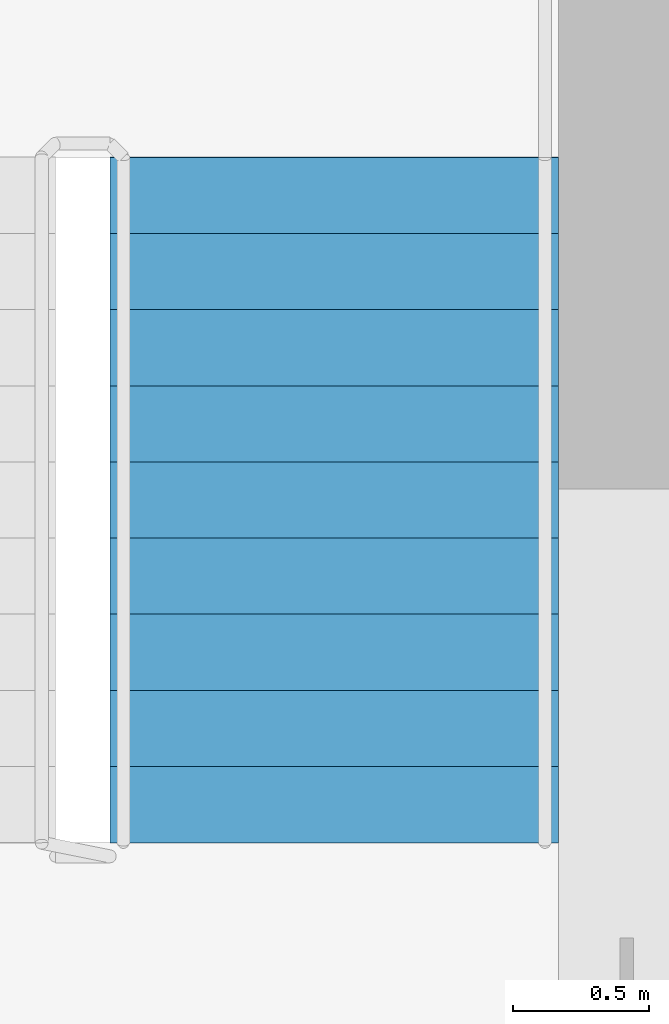
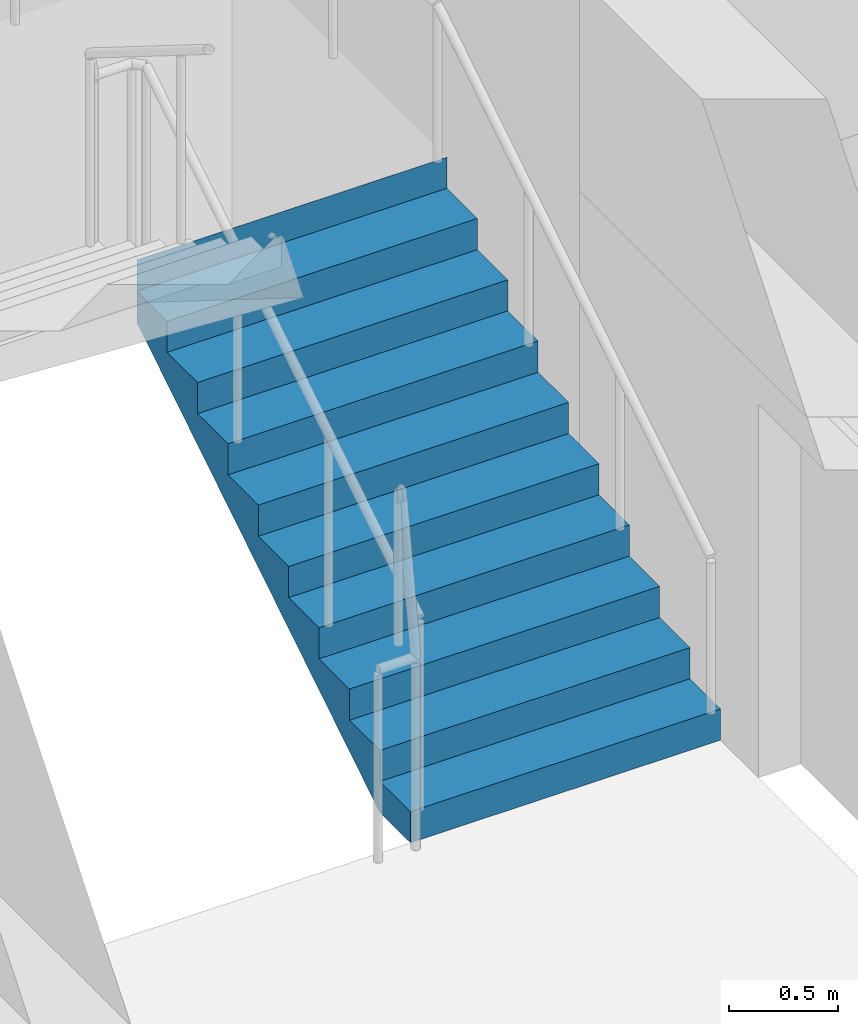
# One storey, part 10 of 11: 1 stair flight, 1 element without a shape of its own.
"""IFC4 building model written with IfcOpenShell, lengths in metres."""

from ifc_helpers import new_model, si_unit, direction, frame, origin, place, context, subcontext, project, spatial, polyline, outline, extrude, material, type_object, element, aggregate, save


model = new_model("IFC4")

# Units and contexts
model_context = context("Model", 3, precision=1e-05, world=origin(), true_north=direction((0.0, 1.0)))
body_context = subcontext(model_context, "Body", "Model", "MODEL_VIEW")
ifc_project = project(units=[si_unit("LENGTHUNIT", "METRE"), si_unit("AREAUNIT", "SQUARE_METRE"), si_unit("VOLUMEUNIT", "CUBIC_METRE"), si_unit("PLANEANGLEUNIT", "RADIAN"), si_unit("MASSUNIT", "GRAM", prefix="KILO")], contexts=[model_context])

# Site, building, storey
site_placement = place(None, origin())
site = spatial("IfcSite", under=ifc_project, at=site_placement, CompositionType="ELEMENT")
building_placement = place(site_placement, origin())
building = spatial("IfcBuilding", under=site, at=building_placement, Name="Tamorin Gate", CompositionType="ELEMENT")
storey_placement = place(building_placement, frame((0.0, 0.0, 230.199951171875)))
storey = spatial("IfcBuildingStorey", under=building, at=storey_placement, Name="L57", CompositionType="ELEMENT", Elevation=230.199951171875)

# Stair, stair flight
ifc_material = material(Name="Concrete C40/50", Category="concrete")
stair_type = type_object("IfcStairType", Name="Exit stair", PredefinedType="HALF_TURN_STAIR", material=ifc_material)
stair_placement = place(storey_placement, origin())
stair = element("IfcStair", 1, at=stair_placement, inside=storey, type_object=stair_type, Name="L57 stair ST2", PredefinedType="HALF_TURN_STAIR")
stair_flight_type = type_object("IfcStairFlightType", Name="Exit stair flight", PredefinedType="STRAIGHT", material=ifc_material)
stair_flight_placement = place(storey_placement, frame((33.675048828125, 77.0, 0.0), z_axis=(0.0, 0.0, 1.0), x_axis=(0.0, 1.0, 0.0)))
stair_flight = element("IfcStairFlight", 2, at=stair_flight_placement, type_object=stair_flight_type, Name="ST2 flight 1", NumberOfRisers=10, NumberOfTreads=9, PredefinedType="STRAIGHT", RiserHeight=0.175, TreadLength=0.28, context=body_context, shape_type="SweptSolid", body=[
    extrude(outline(polyline([(-0.00048828125, 0.0), (-0.00048828125, 0.001708984375), (-0.00048828125, 0.00341796875), (-0.00048828125, 0.005126953125), (-0.00048828125, 0.0068359375), (-0.00048828125, 0.008544921875), (-0.00048828125, 0.010498046875), (-0.00048828125, 0.01220703125), (-0.00048828125, 0.013916015625), (-0.00048828125, 0.015625), (-0.00048828125, 0.017333984375), (-0.00048828125, 0.01904296875), (-0.00048828125, 0.020751953125), (-0.00048828125, 0.0224609375), (-0.00048828125, 0.024169921875), (-0.00048828125, 0.02587890625), (-0.00048828125, 0.02783203125), (-0.00048828125, 0.029541015625), (-0.00048828125, 0.03125), (-0.00048828125, 0.032958984375), (-0.00048828125, 0.03466796875), (-0.00048828125, 0.036376953125), (-0.00048828125, 0.0380859375), (-0.00048828125, 0.039794921875), (-0.00048828125, 0.04150390625), (-0.00048828125, 0.043212890625), (-0.00048828125, 0.045166015625), (-0.00048828125, 0.046875), (-0.00048828125, 0.048583984375), (-0.00048828125, 0.05029296875), (-0.00048828125, 0.052001953125), (-0.00048828125, 0.0537109375), (-0.00048828125, 0.055419921875), (-0.00048828125, 0.05712890625), (-0.00048828125, 0.058837890625), (-0.00048828125, 0.060546875), (-0.00048828125, 0.062255859375), (-0.00048828125, 0.064208984375), (-0.00048828125, 0.06591796875), (-0.00048828125, 0.067626953125), (-0.00048828125, 0.0693359375), (-0.00048828125, 0.071044921875), (-0.00048828125, 0.07275390625), (-0.00048828125, 0.074462890625), (-0.00048828125, 0.076171875), (-0.00048828125, 0.077880859375), (-0.00048828125, 0.07958984375), (-0.00048828125, 0.08154296875), (-0.00048828125, 0.083251953125), (-0.00048828125, 0.0849609375), (-0.00048828125, 0.086669921875), (-0.00048828125, 0.08837890625), (-0.00048828125, 0.090087890625), (-0.00048828125, 0.091796875), (-0.00048828125, 0.093505859375), (-0.00048828125, 0.09521484375), (-0.00048828125, 0.096923828125), (-0.00048828125, 0.098876953125), (-0.00048828125, 0.1005859375), (-0.00048828125, 0.102294921875), (-0.00048828125, 0.10400390625), (-0.00048828125, 0.105712890625), (-0.00048828125, 0.107421875), (-0.00048828125, 0.109130859375), (-0.00048828125, 0.11083984375), (-0.00048828125, 0.112548828125), (-0.00048828125, 0.1142578125), (-0.00048828125, 0.1162109375), (-0.00048828125, 0.117919921875), (-0.00048828125, 0.11962890625), (-0.00048828125, 0.121337890625), (-0.00048828125, 0.123046875), (-0.00048828125, 0.124755859375), (-0.00048828125, 0.12646484375), (-0.00048828125, 0.128173828125), (-0.00048828125, 0.1298828125), (-0.00048828125, 0.131591796875), (-0.00048828125, 0.13330078125), (-0.00048828125, 0.13525390625), (-0.00048828125, 0.136962890625), (-0.00048828125, 0.138671875), (-0.00048828125, 0.140380859375), (-0.00048828125, 0.14208984375), (-0.00048828125, 0.143798828125), (-0.00048828125, 0.1455078125), (-0.00048828125, 0.147216796875), (-0.00048828125, 0.14892578125), (-0.00048828125, 0.150634765625), (-0.00048828125, 0.152587890625), (-0.00048828125, 0.154296875), (-0.00048828125, 0.156005859375), (-0.00048828125, 0.15771484375), (-0.00048828125, 0.159423828125), (-0.00048828125, 0.1611328125), (-0.00048828125, 0.162841796875), (-0.00048828125, 0.16455078125), (-0.00048828125, 0.166259765625), (-0.00048828125, 0.16796875), (-0.00048828125, 0.169921875), (-0.00048828125, 0.171630859375), (-0.00048828125, 0.17333984375), (-0.00048828125, 0.175048828125), (0.280029296875, 0.175048828125), (0.280029296875, 0.35009765625), (0.56005859375, 0.35009765625), (0.56005859375, 0.52490234375), (0.840087890625, 0.52490234375), (0.840087890625, 0.699951171875), (1.1201171875, 0.699951171875), (1.1201171875, 0.875), (1.39990234375, 0.875), (1.39990234375, 1.050048828125), (1.679931640625, 1.050048828125), (1.679931640625, 1.22509765625), (1.9599609375, 1.22509765625), (1.9599609375, 1.39990234375), (2.239990234375, 1.39990234375), (2.239990234375, 1.574951171875), (2.52001953125, 1.574951171875), (2.52001953125, 1.75), (2.5205078125, 1.75), (2.5205078125, 1.74658203125), (2.5205078125, 1.742919921875), (2.5205078125, 1.739501953125), (2.5205078125, 1.736083984375), (2.5205078125, 1.732666015625), (2.5205078125, 1.72900390625), (2.5205078125, 1.7255859375), (2.5205078125, 1.72216796875), (2.5205078125, 1.71875), (2.5205078125, 1.715087890625), (2.5205078125, 1.711669921875), (2.5205078125, 1.708251953125), (2.5205078125, 1.704833984375), (2.5205078125, 1.701171875), (2.5205078125, 1.69775390625), (2.5205078125, 1.6943359375), (2.5205078125, 1.690673828125), (2.5205078125, 1.687255859375), (2.5205078125, 1.683837890625), (2.5205078125, 1.680419921875), (2.5205078125, 1.6767578125), (2.5205078125, 1.67333984375), (2.5205078125, 1.669921875), (2.5205078125, 1.66650390625), (2.5205078125, 1.662841796875), (2.5205078125, 1.659423828125), (2.5205078125, 1.656005859375), (2.5205078125, 1.652587890625), (2.5205078125, 1.64892578125), (2.5205078125, 1.6455078125), (2.5205078125, 1.64208984375), (2.5205078125, 1.638427734375), (2.5205078125, 1.635009765625), (2.5205078125, 1.631591796875), (2.5205078125, 1.628173828125), (2.5205078125, 1.62451171875), (2.5205078125, 1.62109375), (2.5205078125, 1.61767578125), (2.5205078125, 1.6142578125), (2.5205078125, 1.610595703125), (2.5205078125, 1.607177734375), (2.5205078125, 1.603759765625), (2.5205078125, 1.600341796875), (2.5205078125, 1.5966796875), (2.5205078125, 1.59326171875), (2.5205078125, 1.58984375), (2.5205078125, 1.58642578125), (2.5205078125, 1.582763671875), (2.5205078125, 1.579345703125), (2.5205078125, 1.575927734375), (2.5205078125, 1.572265625), (2.5205078125, 1.56884765625), (2.5205078125, 1.5654296875), (2.5205078125, 1.56201171875), (2.5205078125, 1.558349609375), (2.5205078125, 1.554931640625), (2.5205078125, 1.551513671875), (2.5205078125, 1.548095703125), (2.5205078125, 1.54443359375), (2.5205078125, 1.541015625), (2.5205078125, 1.53759765625), (2.5205078125, 1.5341796875), (2.5205078125, 1.530517578125), (2.5205078125, 1.527099609375), (2.5205078125, 1.523681640625), (2.5205078125, 1.52001953125), (2.5205078125, 1.5166015625), (2.5205078125, 1.51318359375), (2.5205078125, 1.509765625), (2.5205078125, 1.506103515625), (2.5205078125, 1.502685546875), (2.5205078125, 1.499267578125), (2.5205078125, 1.495849609375), (2.5205078125, 1.4921875), (2.5205078125, 1.48876953125), (2.5205078125, 1.4853515625), (2.5205078125, 1.48193359375), (2.5205078125, 1.478271484375), (2.5205078125, 1.474853515625), (2.5205078125, 1.471435546875), (2.5205078125, 1.4677734375), (2.5205078125, 1.46435546875), (2.5205078125, 1.4609375), (2.5205078125, 1.45751953125), (2.5205078125, 1.453857421875), (2.5205078125, 1.450439453125), (2.5205078125, 1.447021484375), (2.5205078125, 1.443603515625), (2.5205078125, 1.43994140625), (2.5205078125, 1.4365234375), (2.5205078125, 1.43310546875), (2.5205078125, 1.4296875), (2.5205078125, 1.426025390625), (2.5205078125, 1.422607421875), (2.5205078125, 1.419189453125), (2.5205078125, 1.41552734375), (2.5205078125, 1.412109375), (2.5205078125, 1.40869140625), (2.5205078125, 1.4052734375), (2.5205078125, 1.401611328125), (2.5205078125, 1.398193359375), (2.52001953125, 1.398193359375), (0.28271484375, 0.0), (-0.00048828125, 0.0)])), frame((0.0, 0.824951171875, 0.0), z_axis=(0.0, -1.0, 0.0), x_axis=(1.0, 0.0, 0.0)), (0.0, 0.0, 1.0), 1.64990234375),
])
aggregate(stair, [stair_flight])

save(model, "model.ifc")
